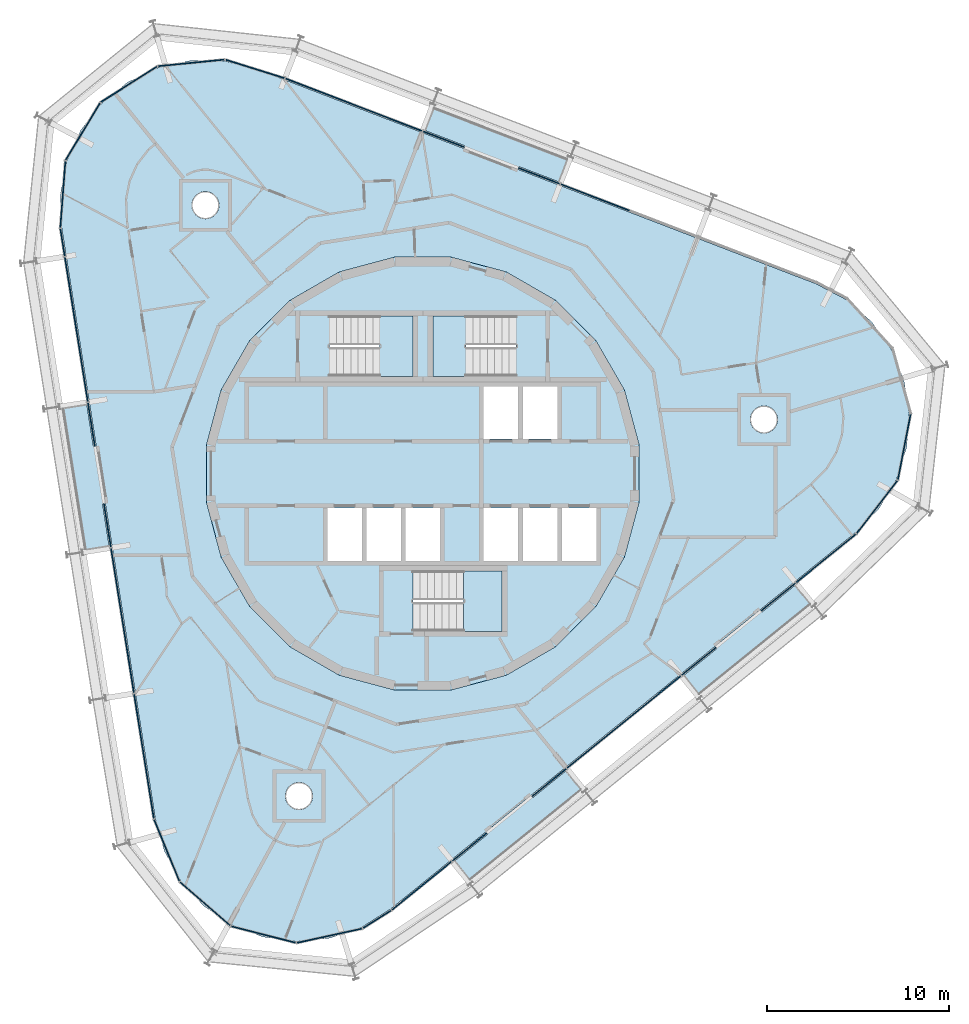
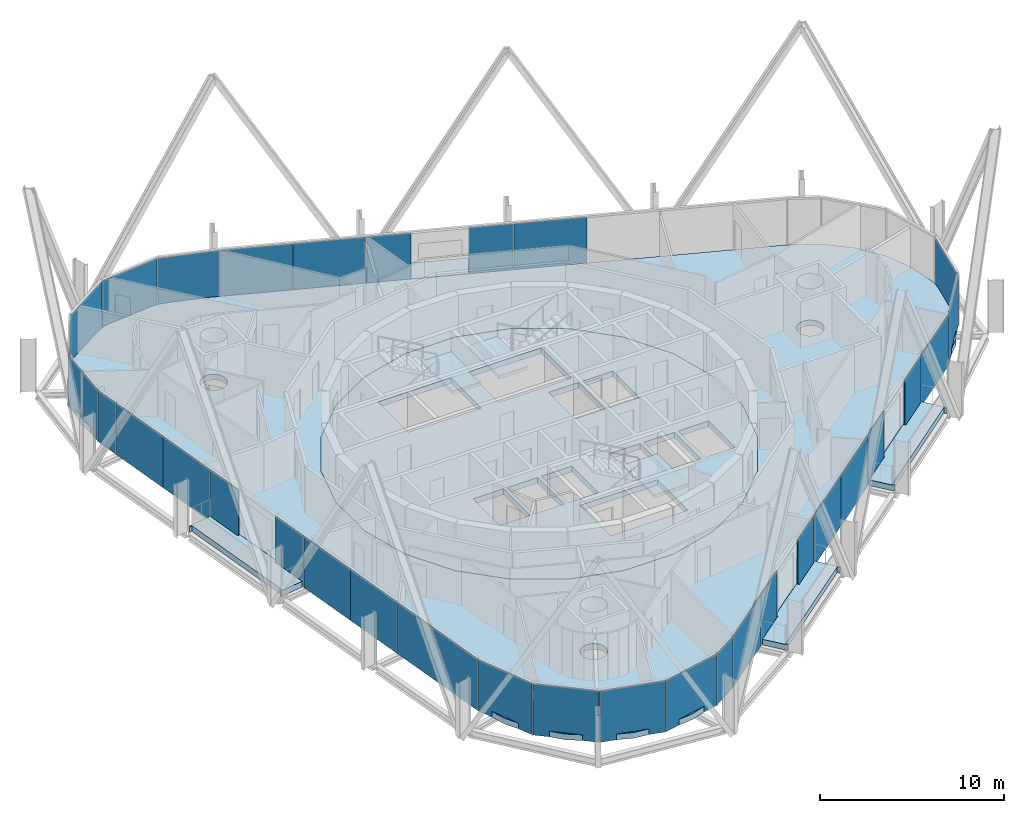
# One storey, part 10 of 18: 33 plates, 9 slabs, 9 elements without a shape of their own.
"""IFC4 building model written with IfcOpenShell, lengths in metres."""

from ifc_helpers import new_model, si_unit, direction, frame, origin, origin_2d, place, context, subcontext, project, spatial, polyline, rectangle, outline, extrude, material, layer, layer_set, type_object, element, aggregate, save


model = new_model("IFC4")

# Units and contexts
model_context = context("Model", 3, precision=1e-05, world=origin(), true_north=direction((0.0, 1.0)))
body_context = subcontext(model_context, "Body", "Model", "MODEL_VIEW")
ifc_project = project(units=[si_unit("LENGTHUNIT", "METRE"), si_unit("AREAUNIT", "SQUARE_METRE"), si_unit("VOLUMEUNIT", "CUBIC_METRE"), si_unit("PLANEANGLEUNIT", "RADIAN"), si_unit("MASSUNIT", "GRAM", prefix="KILO")], contexts=[model_context])

# Site, building, storey
site_placement = place(None, origin())
site = spatial("IfcSite", under=ifc_project, at=site_placement, CompositionType="ELEMENT")
building_placement = place(site_placement, origin())
building = spatial("IfcBuilding", under=site, at=building_placement, Name="Spindle Arch Residences", CompositionType="ELEMENT")
storey_placement = place(building_placement, frame((0.0, 0.0, 277.39990234375)))
storey = spatial("IfcBuildingStorey", under=building, at=storey_placement, Name="L71", CompositionType="ELEMENT", Elevation=277.39990234375)

# Slabs
ifc_material_1 = material(Name="Concrete C40/50", Category="concrete")
ifc_layer_1 = layer(ifc_material_1, 0.3798828125)
ifc_layer_set_1 = layer_set([ifc_layer_1], Name="Balcony slab 380")
slab_type_1 = type_object("IfcSlabType", Name="Balcony slab 380", PredefinedType="FLOOR", material=ifc_layer_set_1)
slab_1_placement = place(storey_placement, frame((0.0, 0.0, -0.3798828125)))
element("IfcSlab", 1, at=slab_1_placement, inside=storey, type_object=slab_type_1, Name="Balcony L71 bay 1", PredefinedType="FLOOR", context=body_context, shape_type="SweptSolid", body=[
    extrude(outline(polyline([(15.258056640625, -12.28125), (15.31640625, -12.234130859375), (15.221923828125, -12.11767578125), (21.28955078125, -7.2041015625), (21.384033203125, -7.32080078125), (21.442138671875, -7.2734375), (20.504638671875, -6.115478515625), (18.65576171875, -7.612548828125), (18.55517578125, -7.48828125), (16.068359375, -9.501953125), (16.1689453125, -9.62646484375), (14.3203125, -11.12353515625), (15.258056640625, -12.28125)])), origin(), (0.0, 0.0, 1.0), 0.3798828125),
])
slab_2_placement = place(storey_placement, frame((0.0, 0.0, -0.3798828125)))
element("IfcSlab", 2, at=slab_2_placement, inside=storey, type_object=slab_type_1, Name="Balcony L71 bay 7", PredefinedType="FLOOR", context=body_context, shape_type="SweptSolid", body=[
    extrude(outline(polyline([(8.052978515625, 17.41748046875), (7.98291015625, 17.4443359375), (7.92919921875, 17.304443359375), (0.64013671875, 20.102294921875), (0.694091796875, 20.242431640625), (0.6240234375, 20.269287109375), (0.090087890625, 18.878173828125), (2.310791015625, 18.025634765625), (2.25341796875, 17.87646484375), (5.240966796875, 16.7294921875), (5.29833984375, 16.87890625), (7.51904296875, 16.0263671875), (8.052978515625, 17.41748046875)])), origin(), (0.0, 0.0, 1.0), 0.3798828125),
])
slab_3_placement = place(storey_placement, frame((0.0, 0.0, -0.3798828125)))
element("IfcSlab", 3, at=slab_3_placement, inside=storey, type_object=slab_type_1, Name="Balcony L71 bay 13", PredefinedType="FLOOR", context=body_context, shape_type="SweptSolid", body=[
    extrude(outline(polyline([(-19.9560546875, 3.603759765625), (-19.9443359375, 3.52978515625), (-19.796142578125, 3.55322265625), (-18.57470703125, -4.158203125), (-18.722900390625, -4.181640625), (-18.711181640625, -4.255859375), (-17.239501953125, -4.022705078125), (-17.611572265625, -1.673095703125), (-17.45361328125, -1.648193359375), (-17.954345703125, 1.512451171875), (-18.1123046875, 1.487548828125), (-18.484375, 3.8369140625), (-19.9560546875, 3.603759765625)])), origin(), (0.0, 0.0, 1.0), 0.3798828125),
])
slab_4_placement = place(storey_placement, frame((0.0, 0.0, -0.3798828125)))
element("IfcSlab", 4, at=slab_4_placement, inside=storey, type_object=slab_type_1, Name="Balcony L71 bay 19", PredefinedType="FLOOR", context=body_context, shape_type="SweptSolid", body=[
    extrude(outline(polyline([(2.656494140625, -22.48583984375), (2.71484375, -22.438720703125), (2.620361328125, -22.322021484375), (8.68798828125, -17.40869140625), (8.782470703125, -17.525146484375), (8.840576171875, -17.47802734375), (7.903076171875, -16.320068359375), (6.05419921875, -17.817138671875), (5.95361328125, -17.69287109375), (3.466796875, -19.70654296875), (3.5673828125, -19.8310546875), (1.71875, -21.327880859375), (2.656494140625, -22.48583984375)])), origin(), (0.0, 0.0, 1.0), 0.3798828125),
])
ifc_material_2 = material(Name="Concrete C50/60", Category="concrete")
ifc_layer_2 = layer(ifc_material_2, 0.3798828125)
ifc_layer_set_2 = layer_set([ifc_layer_2], Name="Core floor slab 380")
slab_type_2 = type_object("IfcSlabType", Name="Core floor slab 380", PredefinedType="FLOOR", material=ifc_layer_set_2)
slab_5_placement = place(storey_placement, frame((0.0, 0.0, -0.3798828125)))
element("IfcSlab", 5, at=slab_5_placement, inside=storey, type_object=slab_type_2, Name="Core floor L71", PredefinedType="FLOOR", context=body_context, shape_type="SweptSolid", body=[
    extrude(outline(polyline([(1.56640625, -11.897216796875), (4.59228515625, -11.086669921875), (7.30517578125, -9.520263671875), (9.520263671875, -7.30517578125), (11.086669921875, -4.59228515625), (11.897216796875, -1.56640625), (11.897216796875, 1.56640625), (11.086669921875, 4.59228515625), (9.520263671875, 7.30517578125), (7.30517578125, 9.520263671875), (4.59228515625, 11.086669921875), (1.56640625, 11.897216796875), (-1.56640625, 11.897216796875), (-4.59228515625, 11.086669921875), (-7.30517578125, 9.520263671875), (-9.520263671875, 7.30517578125), (-11.086669921875, 4.59228515625), (-11.897216796875, 1.56640625), (-11.897216796875, -1.56640625), (-11.086669921875, -4.59228515625), (-9.520263671875, -7.30517578125), (-7.30517578125, -9.520263671875), (-4.59228515625, -11.086669921875), (-1.56640625, -11.897216796875), (1.56640625, -11.897216796875)]), holes=[polyline([(3.35009765625, 1.89990234375), (5.25, 1.89990234375), (5.25, 4.800048828125), (3.35009765625, 4.800048828125), (3.35009765625, 1.89990234375)]), polyline([(5.5, 1.89990234375), (7.39990234375, 1.89990234375), (7.39990234375, 4.800048828125), (5.5, 4.800048828125), (5.5, 1.89990234375)]), polyline([(-5.25, -4.800048828125), (-3.35009765625, -4.800048828125), (-3.35009765625, -1.89990234375), (-5.25, -1.89990234375), (-5.25, -4.800048828125)]), polyline([(-3.10009765625, -4.800048828125), (-1.199951171875, -4.800048828125), (-1.199951171875, -1.89990234375), (-3.10009765625, -1.89990234375), (-3.10009765625, -4.800048828125)]), polyline([(-0.949951171875, -4.800048828125), (0.949951171875, -4.800048828125), (0.949951171875, -1.89990234375), (-0.949951171875, -1.89990234375), (-0.949951171875, -4.800048828125)]), polyline([(3.35009765625, -4.800048828125), (5.25, -4.800048828125), (5.25, -1.89990234375), (3.35009765625, -1.89990234375), (3.35009765625, -4.800048828125)]), polyline([(5.5, -4.800048828125), (7.39990234375, -4.800048828125), (7.39990234375, -1.89990234375), (5.5, -1.89990234375), (5.5, -4.800048828125)]), polyline([(7.64990234375, -4.800048828125), (9.550048828125, -4.800048828125), (9.550048828125, -1.89990234375), (7.64990234375, -1.89990234375), (7.64990234375, -4.800048828125)]), polyline([(5.1298828125, 8.669921875), (0.550048828125, 8.669921875), (0.550048828125, 5.35009765625), (5.1298828125, 5.35009765625), (5.1298828125, 8.669921875)]), polyline([(-5.1298828125, 5.35009765625), (-0.550048828125, 5.35009765625), (-0.550048828125, 8.669921875), (-5.1298828125, 8.669921875), (-5.1298828125, 5.35009765625)]), polyline([(-0.530029296875, -8.669921875), (4.35009765625, -8.669921875), (4.35009765625, -5.35009765625), (-0.530029296875, -5.35009765625), (-0.530029296875, -8.669921875)])]), origin(), (0.0, 0.0, 1.0), 0.3798828125),
])

# Stair, slab
ifc_material_3 = material(Name="Concrete C50/60", Category="concrete")
stair_type = type_object("IfcStairType", Name="Exit stair 16 risers", PredefinedType="HALF_TURN_STAIR", material=ifc_material_3)
stair_1_placement = place(storey_placement, origin())
stair_1 = element("IfcStair", 6, at=stair_1_placement, inside=storey, type_object=stair_type, Name="L71 Exit stair ST1", PredefinedType="HALF_TURN_STAIR")
ifc_material_4 = material(Name="Concrete C50/60", Category="concrete")
ifc_layer_3 = layer(ifc_material_4, 0.219970703125)
ifc_layer_set_3 = layer_set([ifc_layer_3], Name="Exit stair landing 220")
slab_type_3 = type_object("IfcSlabType", Name="Exit stair landing 220", PredefinedType="LANDING", material=ifc_layer_set_3)
slab_6_placement = place(storey_placement, frame((0.0, 0.0, 1.530029296875)))
slab_6 = element("IfcSlab", 7, at=slab_6_placement, type_object=slab_type_3, Name="ST1 landing 1", PredefinedType="LANDING", context=body_context, shape_type="SweptSolid", body=[
    extrude(outline(polyline([(2.3701171875, 8.669921875), (0.550048828125, 8.669921875), (0.550048828125, 5.35009765625), (2.3701171875, 5.35009765625), (2.3701171875, 8.669921875)])), origin(), (0.0, 0.0, 1.0), 0.219970703125),
])
aggregate(stair_1, [slab_6])

stair_2_placement = place(storey_placement, origin())
stair_2 = element("IfcStair", 8, at=stair_2_placement, inside=storey, type_object=stair_type, Name="L71 Exit stair ST2", PredefinedType="HALF_TURN_STAIR")
slab_7_placement = place(storey_placement, frame((0.0, 0.0, 1.530029296875)))
slab_7 = element("IfcSlab", 9, at=slab_7_placement, type_object=slab_type_3, Name="ST2 landing 1", PredefinedType="LANDING", context=body_context, shape_type="SweptSolid", body=[
    extrude(outline(polyline([(-2.3701171875, 5.35009765625), (-0.550048828125, 5.35009765625), (-0.550048828125, 8.669921875), (-2.3701171875, 8.669921875), (-2.3701171875, 5.35009765625)])), origin(), (0.0, 0.0, 1.0), 0.219970703125),
])
aggregate(stair_2, [slab_7])

stair_3_placement = place(storey_placement, origin())
stair_3 = element("IfcStair", 10, at=stair_3_placement, inside=storey, type_object=stair_type, Name="L71 Exit stair ST3", PredefinedType="HALF_TURN_STAIR")
slab_8_placement = place(storey_placement, frame((0.0, 0.0, 1.530029296875)))
slab_8 = element("IfcSlab", 11, at=slab_8_placement, type_object=slab_type_3, Name="ST3 landing 1", PredefinedType="LANDING", context=body_context, shape_type="SweptSolid", body=[
    extrude(outline(polyline([(2.22998046875, -8.669921875), (4.35009765625, -8.669921875), (4.35009765625, -5.35009765625), (2.22998046875, -5.35009765625), (2.22998046875, -8.669921875)])), origin(), (0.0, 0.0, 1.0), 0.219970703125),
])
aggregate(stair_3, [slab_8])

# Slab
ifc_material_5 = material(Name="Concrete C40/50", Category="concrete")
ifc_layer_4 = layer(ifc_material_5, 0.3798828125)
ifc_layer_set_4 = layer_set([ifc_layer_4], Name="Floor slab 380")
slab_type_4 = type_object("IfcSlabType", Name="Floor slab 380", PredefinedType="FLOOR", material=ifc_layer_set_4)
slab_9_placement = place(storey_placement, frame((0.0, 0.0, -0.3798828125)))
element("IfcSlab", 12, at=slab_9_placement, inside=storey, type_object=slab_type_4, Name="Floor slab L71", PredefinedType="FLOOR", context=body_context, shape_type="SweptSolid", body=[
    extrude(outline(polyline([(-3.341552734375, -24.9423828125), (-5.097900390625, -25.547119140625), (-6.9462890625, -25.73046875), (-8.787109375, -25.482666015625), (-10.521240234375, -24.81689453125), (-12.054931640625, -23.769287109375), (-13.305908203125, -22.396240234375), (-14.20654296875, -20.771484375), (-14.7080078125, -18.983154296875), (-19.854248046875, 13.509033203125), (-19.929931640625, 15.364990234375), (-19.575439453125, 17.188232421875), (-18.81005859375, 18.880859375), (-17.675048828125, 20.35107421875), (-16.231689453125, 21.52001953125), (-14.557373046875, 22.32470703125), (-12.74267578125, 22.721435546875), (-10.885498046875, 22.68896484375), (-9.0859375, 22.22900390625), (21.626220703125, 10.439697265625), (23.271484375, 9.577392578125), (24.67333984375, 8.358642578125), (25.75634765625, 6.849609375), (26.462158203125, 5.131591796875), (26.752685546875, 3.296875), (26.6123046875, 1.444580078125), (26.048583984375, -0.3251953125), (25.092041015625, -1.917236328125), (23.7939453125, -3.24609375), (11.010986328125, -13.597412109375), (-1.77197265625, -23.94873046875), (-3.341552734375, -24.9423828125)]), holes=[polyline([(7.30517578125, -9.520263671875), (9.520263671875, -7.30517578125), (11.086669921875, -4.59228515625), (11.897216796875, -1.56640625), (11.897216796875, 1.56640625), (11.086669921875, 4.59228515625), (9.520263671875, 7.30517578125), (7.30517578125, 9.520263671875), (4.59228515625, 11.086669921875), (1.56640625, 11.897216796875), (-1.56640625, 11.897216796875), (-4.59228515625, 11.086669921875), (-7.30517578125, 9.520263671875), (-9.520263671875, 7.30517578125), (-11.086669921875, 4.59228515625), (-11.897216796875, 1.56640625), (-11.897216796875, -1.56640625), (-11.086669921875, -4.59228515625), (-9.520263671875, -7.30517578125), (-7.30517578125, -9.520263671875), (-4.59228515625, -11.086669921875), (-1.56640625, -11.897216796875), (1.56640625, -11.897216796875), (4.59228515625, -11.086669921875), (7.30517578125, -9.520263671875)]), polyline([(-6.2763671875, -18.261962890625), (-6.18310546875, -18.1484375), (-6.11376953125, -18.018798828125), (-6.071044921875, -17.8779296875), (-6.056640625, -17.731689453125), (-6.071044921875, -17.58544921875), (-6.11376953125, -17.444580078125), (-6.18310546875, -17.31494140625), (-6.2763671875, -17.201416015625), (-6.389892578125, -17.108154296875), (-6.51953125, -17.038818359375), (-6.660400390625, -16.99609375), (-6.806640625, -16.981689453125), (-6.952880859375, -16.99609375), (-7.093505859375, -17.038818359375), (-7.223388671875, -17.108154296875), (-7.3369140625, -17.201416015625), (-7.43017578125, -17.31494140625), (-7.49951171875, -17.444580078125), (-7.542236328125, -17.58544921875), (-7.556640625, -17.731689453125), (-7.542236328125, -17.8779296875), (-7.49951171875, -18.018798828125), (-7.43017578125, -18.1484375), (-7.3369140625, -18.261962890625), (-7.223388671875, -18.355224609375), (-7.093505859375, -18.424560546875), (-6.952880859375, -18.46728515625), (-6.806640625, -18.481689453125), (-6.660400390625, -18.46728515625), (-6.51953125, -18.424560546875), (-6.389892578125, -18.355224609375), (-6.2763671875, -18.261962890625)]), polyline([(-11.3291015625, 14.34375), (-11.260009765625, 14.473388671875), (-11.21728515625, 14.6142578125), (-11.202880859375, 14.760498046875), (-11.21728515625, 14.90673828125), (-11.260009765625, 15.047607421875), (-11.3291015625, 15.17724609375), (-11.422607421875, 15.290771484375), (-11.5361328125, 15.384033203125), (-11.665771484375, 15.453369140625), (-11.806396484375, 15.49609375), (-11.952880859375, 15.510498046875), (-12.09912109375, 15.49609375), (-12.23974609375, 15.453369140625), (-12.369384765625, 15.384033203125), (-12.483154296875, 15.290771484375), (-12.576416015625, 15.17724609375), (-12.645751953125, 15.047607421875), (-12.6884765625, 14.90673828125), (-12.702880859375, 14.760498046875), (-12.6884765625, 14.6142578125), (-12.645751953125, 14.473388671875), (-12.576416015625, 14.34375), (-12.483154296875, 14.230224609375), (-12.369384765625, 14.136962890625), (-12.23974609375, 14.067626953125), (-12.09912109375, 14.02490234375), (-11.952880859375, 14.010498046875), (-11.806396484375, 14.02490234375), (-11.665771484375, 14.067626953125), (-11.5361328125, 14.136962890625), (-11.422607421875, 14.230224609375), (-11.3291015625, 14.34375)]), polyline([(19.383056640625, 2.554443359375), (19.452392578125, 2.68408203125), (19.4951171875, 2.824951171875), (19.509521484375, 2.97119140625), (19.4951171875, 3.117431640625), (19.452392578125, 3.25830078125), (19.383056640625, 3.387939453125), (19.289794921875, 3.50146484375), (19.176025390625, 3.5947265625), (19.04638671875, 3.6640625), (18.90576171875, 3.706787109375), (18.759521484375, 3.72119140625), (18.613037109375, 3.706787109375), (18.472412109375, 3.6640625), (18.3427734375, 3.5947265625), (18.22900390625, 3.50146484375), (18.1357421875, 3.387939453125), (18.06640625, 3.25830078125), (18.023681640625, 3.117431640625), (18.009521484375, 2.97119140625), (18.023681640625, 2.824951171875), (18.06640625, 2.68408203125), (18.1357421875, 2.554443359375), (18.22900390625, 2.44091796875), (18.3427734375, 2.34765625), (18.472412109375, 2.2783203125), (18.613037109375, 2.235595703125), (18.759521484375, 2.22119140625), (18.90576171875, 2.235595703125), (19.04638671875, 2.2783203125), (19.176025390625, 2.34765625), (19.289794921875, 2.44091796875), (19.383056640625, 2.554443359375)])]), origin(), (0.0, 0.0, 1.0), 0.3798828125),
])

# Curtain wall, plates
ifc_material_6 = material(Name="Aluminium bronze unitised frame with tinted glass", Category="aluminium")
ifc_layer_5 = layer(ifc_material_6, 0.159912109375)
ifc_layer_set_5 = layer_set([ifc_layer_5], Name="CW-D corner wall on the fillet arcs")
curtain_wall_type_1 = type_object("IfcCurtainWallType", Name="CW-D corner wall on the fillet arcs", PredefinedType="NOTDEFINED", material=ifc_layer_set_5)
curtain_wall_1_placement = place(storey_placement, origin())
curtain_wall_1 = element("IfcCurtainWall", 13, at=curtain_wall_1_placement, inside=storey, type_object=curtain_wall_type_1, Name="CW-D L71 run 1", PredefinedType="NOTDEFINED")
ifc_material_7 = material(Name="Tinted double glazing over aluminium faced non-combustible spandrel zone (K0)", Category="aluminium")
ifc_layer_6 = layer(ifc_material_7, 0.06005859375)
ifc_layer_set_6 = layer_set([ifc_layer_6], Name="Unitised glass panel with E 60 spandrel zone")
plate_type = type_object("IfcPlateType", Name="Unitised glass panel with E 60 spandrel zone", PredefinedType="CURTAIN_PANEL", material=ifc_layer_set_6)
plate_1_placement = place(storey_placement, frame((22.178466796875, -4.6572265625, -0.3798828125), z_axis=(0.0, 0.0, 1.0), x_axis=(0.777145961457, 0.62932039105, 0.0)))
plate_1 = element("IfcPlate", 14, at=plate_1_placement, type_object=plate_type, Name="CW-D unit 00", PredefinedType="CURTAIN_PANEL", context=body_context, shape_type="SweptSolid", body=[
    extrude(rectangle(XDim=4.227294921875, YDim=0.06005859375, at=origin_2d()), origin(), (0.0, 0.0, 1.0), 3.3798828125),
])
plate_2_placement = place(storey_placement, frame((24.98291015625, -1.833251953125, -0.3798828125), z_axis=(0.0, 0.0, 1.0), x_axis=(0.611066622764, 0.791579170105, 0.0)))
plate_2 = element("IfcPlate", 15, at=plate_2_placement, type_object=plate_type, Name="CW-D unit 01", PredefinedType="CURTAIN_PANEL", context=body_context, shape_type="SweptSolid", body=[
    extrude(rectangle(XDim=3.666748046875, YDim=0.06005859375, at=origin_2d()), origin(), (0.0, 0.0, 1.0), 3.3798828125),
])
plate_3_placement = place(storey_placement, frame((26.47705078125, 1.470947265625, -0.3798828125), z_axis=(0.0, 0.0, 1.0), x_axis=(0.190808994811, 0.981627183558, 0.0)))
plate_3 = element("IfcPlate", 16, at=plate_3_placement, type_object=plate_type, Name="CW-D unit 02", PredefinedType="CURTAIN_PANEL", context=body_context, shape_type="SweptSolid", body=[
    extrude(rectangle(XDim=3.666748046875, YDim=0.06005859375, at=origin_2d()), origin(), (0.0, 0.0, 1.0), 3.3798828125),
])
aggregate(curtain_wall_1, [plate_1, plate_2, plate_3])

ifc_material_8 = material(Name="Aluminium bronze unitised frame with tinted glass", Category="aluminium")
ifc_layer_7 = layer(ifc_material_8, 0.159912109375)
ifc_layer_set_7 = layer_set([ifc_layer_7], Name="CW-C typical residential unitised wall")
curtain_wall_type_2 = type_object("IfcCurtainWallType", Name="CW-C typical residential unitised wall", PredefinedType="NOTDEFINED", material=ifc_layer_set_7)
curtain_wall_2_placement = place(storey_placement, origin())
curtain_wall_2 = element("IfcCurtainWall", 17, at=curtain_wall_2_placement, inside=storey, type_object=curtain_wall_type_2, Name="CW-C L71 run 2", PredefinedType="NOTDEFINED")
plate_4_placement = place(storey_placement, frame((9.466796875, 15.193115234375, -0.3798828125), z_axis=(0.0, 0.0, 1.0), x_axis=(-0.933580426497, 0.358367949545, 0.0)))
plate_4 = element("IfcPlate", 18, at=plate_4_placement, type_object=plate_type, Name="CW-C unit 05B", PredefinedType="CURTAIN_PANEL", context=body_context, shape_type="SweptSolid", body=[
    extrude(rectangle(XDim=4.023681640625, YDim=0.06005859375, at=origin_2d()), origin(), (0.0, 0.0, 1.0), 3.3798828125),
])
plate_5_placement = place(storey_placement, frame((6.40087890625, 16.369873046875, -0.3798828125), z_axis=(0.0, 0.0, 1.0), x_axis=(-0.933580426497, 0.358367949545, 0.0)))
plate_5 = element("IfcPlate", 19, at=plate_5_placement, type_object=plate_type, Name="CW-C unit 06L", PredefinedType="CURTAIN_PANEL", context=body_context, shape_type="SweptSolid", body=[
    extrude(rectangle(XDim=2.423828125, YDim=0.06005859375, at=origin_2d()), origin(), (0.0, 0.0, 1.0), 3.3798828125),
])
plate_6_placement = place(storey_placement, frame((1.150634765625, 18.38525390625, -0.3798828125), z_axis=(0.0, 0.0, 1.0), x_axis=(-0.933580426497, 0.358367949545, 0.0)))
plate_6 = element("IfcPlate", 20, at=plate_6_placement, type_object=plate_type, Name="CW-C unit 06R", PredefinedType="CURTAIN_PANEL", context=body_context, shape_type="SweptSolid", body=[
    extrude(rectangle(XDim=2.423828125, YDim=0.06005859375, at=origin_2d()), origin(), (0.0, 0.0, 1.0), 3.3798828125),
])
plate_7_placement = place(storey_placement, frame((-1.9150390625, 19.562255859375, -0.3798828125), z_axis=(0.0, 0.0, 1.0), x_axis=(-0.933580426497, 0.358367949545, 0.0)))
plate_7 = element("IfcPlate", 21, at=plate_7_placement, type_object=plate_type, Name="CW-C unit 07A", PredefinedType="CURTAIN_PANEL", context=body_context, shape_type="SweptSolid", body=[
    extrude(rectangle(XDim=4.023681640625, YDim=0.06005859375, at=origin_2d()), origin(), (0.0, 0.0, 1.0), 3.3798828125),
])
plate_8_placement = place(storey_placement, frame((-5.67138671875, 21.004150390625, -0.3798828125), z_axis=(0.0, 0.0, 1.0), x_axis=(-0.933580426497, 0.358367949545, 0.0)))
plate_8 = element("IfcPlate", 22, at=plate_8_placement, type_object=plate_type, Name="CW-C unit 07B", PredefinedType="CURTAIN_PANEL", context=body_context, shape_type="SweptSolid", body=[
    extrude(rectangle(XDim=4.023681640625, YDim=0.06005859375, at=origin_2d()), origin(), (0.0, 0.0, 1.0), 3.3798828125),
])
aggregate(curtain_wall_2, [plate_4, plate_5, plate_6, plate_7, plate_8])

curtain_wall_3_placement = place(storey_placement, origin())
curtain_wall_3 = element("IfcCurtainWall", 23, at=curtain_wall_3_placement, inside=storey, type_object=curtain_wall_type_1, Name="CW-D L71 run 3", PredefinedType="NOTDEFINED")
plate_9_placement = place(storey_placement, frame((-9.226318359375, 22.252197265625, -0.3798828125), z_axis=(0.0, 0.0, 1.0), x_axis=(-0.954314920262, 0.298802665594, 0.0)))
plate_9 = element("IfcPlate", 24, at=plate_9_placement, type_object=plate_type, Name="CW-D unit 00", PredefinedType="CURTAIN_PANEL", context=body_context, shape_type="SweptSolid", body=[
    extrude(rectangle(XDim=3.39501953125, YDim=0.06005859375, at=origin_2d()), origin(), (0.0, 0.0, 1.0), 3.3798828125),
])
plate_10_placement = place(storey_placement, frame((-12.729248046875, 22.584228515625, -0.3798828125), z_axis=(0.0, 0.0, 1.0), x_axis=(-0.995113183485, -0.098740832762, 0.0)))
plate_10 = element("IfcPlate", 25, at=plate_10_placement, type_object=plate_type, Name="CW-D unit 01", PredefinedType="CURTAIN_PANEL", context=body_context, shape_type="SweptSolid", body=[
    extrude(rectangle(XDim=3.666748046875, YDim=0.06005859375, at=origin_2d()), origin(), (0.0, 0.0, 1.0), 3.3798828125),
])
plate_11_placement = place(storey_placement, frame((-16.157958984375, 21.403564453125, -0.3798828125), z_axis=(0.0, 0.0, 1.0), x_axis=(-0.844950814707, -0.534844015322, 0.0)))
plate_11 = element("IfcPlate", 26, at=plate_11_placement, type_object=plate_type, Name="CW-D unit 02", PredefinedType="CURTAIN_PANEL", context=body_context, shape_type="SweptSolid", body=[
    extrude(rectangle(XDim=3.666748046875, YDim=0.06005859375, at=origin_2d()), origin(), (0.0, 0.0, 1.0), 3.3798828125),
])
plate_12_placement = place(storey_placement, frame((-18.692138671875, 18.809814453125, -0.3798828125), z_axis=(0.0, 0.0, 1.0), x_axis=(-0.515038072875, -0.857167301925, 0.0)))
plate_12 = element("IfcPlate", 27, at=plate_12_placement, type_object=plate_type, Name="CW-D unit 03", PredefinedType="CURTAIN_PANEL", context=body_context, shape_type="SweptSolid", body=[
    extrude(rectangle(XDim=3.666748046875, YDim=0.06005859375, at=origin_2d()), origin(), (0.0, 0.0, 1.0), 3.3798828125),
])
plate_13_placement = place(storey_placement, frame((-19.79248046875, 15.3544921875, -0.3798828125), z_axis=(0.0, 0.0, 1.0), x_axis=(-0.07555884997, -0.997141344139, 0.0)))
plate_13 = element("IfcPlate", 28, at=plate_13_placement, type_object=plate_type, Name="CW-D unit 04", PredefinedType="CURTAIN_PANEL", context=body_context, shape_type="SweptSolid", body=[
    extrude(rectangle(XDim=3.666748046875, YDim=0.06005859375, at=origin_2d()), origin(), (0.0, 0.0, 1.0), 3.3798828125),
])
plate_14_placement = place(storey_placement, frame((-19.809326171875, 12.7138671875, -0.3798828125), z_axis=(0.0, 0.0, 1.0), x_axis=(0.15643446504, -0.987688340595, 0.0)))
plate_14 = element("IfcPlate", 29, at=plate_14_placement, type_object=plate_type, Name="CW-D unit 05", PredefinedType="CURTAIN_PANEL", context=body_context, shape_type="SweptSolid", body=[
    extrude(rectangle(XDim=1.524658203125, YDim=0.06005859375, at=origin_2d()), origin(), (0.0, 0.0, 1.0), 3.3798828125),
])
aggregate(curtain_wall_3, [plate_9, plate_10, plate_11, plate_12, plate_13, plate_14])

curtain_wall_4_placement = place(storey_placement, origin())
curtain_wall_4 = element("IfcCurtainWall", 30, at=curtain_wall_4_placement, inside=storey, type_object=curtain_wall_type_2, Name="CW-C L71 run 4", PredefinedType="NOTDEFINED")
plate_15_placement = place(storey_placement, frame((-19.365966796875, 9.91455078125, -0.3798828125), z_axis=(0.0, 0.0, 1.0), x_axis=(0.15643446504, -0.987688340595, 0.0)))
plate_15 = element("IfcPlate", 31, at=plate_15_placement, type_object=plate_type, Name="CW-C unit 11A", PredefinedType="CURTAIN_PANEL", context=body_context, shape_type="SweptSolid", body=[
    extrude(rectangle(XDim=4.023681640625, YDim=0.06005859375, at=origin_2d()), origin(), (0.0, 0.0, 1.0), 3.3798828125),
])
plate_16_placement = place(storey_placement, frame((-18.736572265625, 5.9404296875, -0.3798828125), z_axis=(0.0, 0.0, 1.0), x_axis=(0.15643446504, -0.987688340595, 0.0)))
plate_16 = element("IfcPlate", 32, at=plate_16_placement, type_object=plate_type, Name="CW-C unit 11B", PredefinedType="CURTAIN_PANEL", context=body_context, shape_type="SweptSolid", body=[
    extrude(rectangle(XDim=4.023681640625, YDim=0.06005859375, at=origin_2d()), origin(), (0.0, 0.0, 1.0), 3.3798828125),
])
plate_17_placement = place(storey_placement, frame((-18.222900390625, 2.697021484375, -0.3798828125), z_axis=(0.0, 0.0, 1.0), x_axis=(0.15643446504, -0.987688340595, 0.0)))
plate_17 = element("IfcPlate", 33, at=plate_17_placement, type_object=plate_type, Name="CW-C unit 12L", PredefinedType="CURTAIN_PANEL", context=body_context, shape_type="SweptSolid", body=[
    extrude(rectangle(XDim=2.423828125, YDim=0.06005859375, at=origin_2d()), origin(), (0.0, 0.0, 1.0), 3.3798828125),
])
plate_18_placement = place(storey_placement, frame((-17.343017578125, -2.857666015625, -0.3798828125), z_axis=(0.0, 0.0, 1.0), x_axis=(0.15643446504, -0.987688340595, 0.0)))
plate_18 = element("IfcPlate", 34, at=plate_18_placement, type_object=plate_type, Name="CW-C unit 12R", PredefinedType="CURTAIN_PANEL", context=body_context, shape_type="SweptSolid", body=[
    extrude(rectangle(XDim=2.423828125, YDim=0.06005859375, at=origin_2d()), origin(), (0.0, 0.0, 1.0), 3.3798828125),
])
plate_19_placement = place(storey_placement, frame((-16.829345703125, -6.10107421875, -0.3798828125), z_axis=(0.0, 0.0, 1.0), x_axis=(0.15643446504, -0.987688340595, 0.0)))
plate_19 = element("IfcPlate", 35, at=plate_19_placement, type_object=plate_type, Name="CW-C unit 13A", PredefinedType="CURTAIN_PANEL", context=body_context, shape_type="SweptSolid", body=[
    extrude(rectangle(XDim=4.023681640625, YDim=0.06005859375, at=origin_2d()), origin(), (0.0, 0.0, 1.0), 3.3798828125),
])
plate_20_placement = place(storey_placement, frame((-16.199951171875, -10.0751953125, -0.3798828125), z_axis=(0.0, 0.0, 1.0), x_axis=(0.15643446504, -0.987688340595, 0.0)))
plate_20 = element("IfcPlate", 36, at=plate_20_placement, type_object=plate_type, Name="CW-C unit 13B", PredefinedType="CURTAIN_PANEL", context=body_context, shape_type="SweptSolid", body=[
    extrude(rectangle(XDim=4.023681640625, YDim=0.06005859375, at=origin_2d()), origin(), (0.0, 0.0, 1.0), 3.3798828125),
])
aggregate(curtain_wall_4, [plate_15, plate_16, plate_17, plate_18, plate_19, plate_20])

curtain_wall_5_placement = place(storey_placement, origin())
curtain_wall_5 = element("IfcCurtainWall", 37, at=curtain_wall_5_placement, inside=storey, type_object=curtain_wall_type_1, Name="CW-D L71 run 5", PredefinedType="NOTDEFINED")
plate_21_placement = place(storey_placement, frame((-15.333740234375, -15.5439453125, -0.3798828125), z_axis=(0.0, 0.0, 1.0), x_axis=(0.15643446504, -0.987688340595, 0.0)))
plate_21 = element("IfcPlate", 38, at=plate_21_placement, type_object=plate_type, Name="CW-D unit 00", PredefinedType="CURTAIN_PANEL", context=body_context, shape_type="SweptSolid", body=[
    extrude(rectangle(XDim=6.9296875, YDim=0.06005859375, at=origin_2d()), origin(), (0.0, 0.0, 1.0), 3.3798828125),
])
plate_22_placement = place(storey_placement, frame((-14.0791015625, -20.71923828125, -0.3798828125), z_axis=(0.0, 0.0, 1.0), x_axis=(0.379994360085, -0.92498880334, 0.0)))
plate_22 = element("IfcPlate", 39, at=plate_22_placement, type_object=plate_type, Name="CW-D unit 01", PredefinedType="CURTAIN_PANEL", context=body_context, shape_type="SweptSolid", body=[
    extrude(rectangle(XDim=3.666748046875, YDim=0.06005859375, at=origin_2d()), origin(), (0.0, 0.0, 1.0), 3.3798828125),
])
plate_23_placement = place(storey_placement, frame((-11.964599609375, -23.665283203125, -0.3798828125), z_axis=(0.0, 0.0, 1.0), x_axis=(0.754709583074, -0.656059025711, 0.0)))
plate_23 = element("IfcPlate", 40, at=plate_23_placement, type_object=plate_type, Name="CW-D unit 02", PredefinedType="CURTAIN_PANEL", context=body_context, shape_type="SweptSolid", body=[
    extrude(rectangle(XDim=3.666748046875, YDim=0.06005859375, at=origin_2d()), origin(), (0.0, 0.0, 1.0), 3.3798828125),
])
plate_24_placement = place(storey_placement, frame((-8.7529296875, -25.34912109375, -0.3798828125), z_axis=(0.0, 0.0, 1.0), x_axis=(0.968871869392, -0.247562720743, 0.0)))
plate_24 = element("IfcPlate", 41, at=plate_24_placement, type_object=plate_type, Name="CW-D unit 03", PredefinedType="CURTAIN_PANEL", context=body_context, shape_type="SweptSolid", body=[
    extrude(rectangle(XDim=3.666748046875, YDim=0.06005859375, at=origin_2d()), origin(), (0.0, 0.0, 1.0), 3.3798828125),
])
plate_25_placement = place(storey_placement, frame((-5.127197265625, -25.412353515625, -0.3798828125), z_axis=(0.0, 0.0, 1.0), x_axis=(0.976921473489, 0.213598770213, 0.0)))
plate_25 = element("IfcPlate", 42, at=plate_25_placement, type_object=plate_type, Name="CW-D unit 04", PredefinedType="CURTAIN_PANEL", context=body_context, shape_type="SweptSolid", body=[
    extrude(rectangle(XDim=3.666748046875, YDim=0.06005859375, at=origin_2d()), origin(), (0.0, 0.0, 1.0), 3.3798828125),
])
plate_26_placement = place(storey_placement, frame((-2.51416015625, -24.5126953125, -0.3798828125), z_axis=(0.0, 0.0, 1.0), x_axis=(0.844950816658, 0.53484401224, 0.0)))
plate_26 = element("IfcPlate", 43, at=plate_26_placement, type_object=plate_type, Name="CW-D unit 05", PredefinedType="CURTAIN_PANEL", context=body_context, shape_type="SweptSolid", body=[
    extrude(rectangle(XDim=1.816162109375, YDim=0.06005859375, at=origin_2d()), origin(), (0.0, 0.0, 1.0), 3.3798828125),
])
plate_27_placement = place(storey_placement, frame((-0.0556640625, -22.662109375, -0.3798828125), z_axis=(0.0, 0.0, 1.0), x_axis=(0.777145961457, 0.62932039105, 0.0)))
plate_27 = element("IfcPlate", 44, at=plate_27_placement, type_object=plate_type, Name="CW-D unit 06", PredefinedType="CURTAIN_PANEL", context=body_context, shape_type="SweptSolid", body=[
    extrude(rectangle(XDim=4.227294921875, YDim=0.06005859375, at=origin_2d()), origin(), (0.0, 0.0, 1.0), 3.3798828125),
])
aggregate(curtain_wall_5, [plate_21, plate_22, plate_23, plate_24, plate_25, plate_26, plate_27])

curtain_wall_6_placement = place(storey_placement, origin())
curtain_wall_6 = element("IfcCurtainWall", 45, at=curtain_wall_6_placement, inside=storey, type_object=curtain_wall_type_2, Name="CW-C L71 run 6", PredefinedType="NOTDEFINED")
plate_28_placement = place(storey_placement, frame((2.5751953125, -20.531494140625, -0.3798828125), z_axis=(0.0, 0.0, 1.0), x_axis=(0.777145961457, 0.62932039105, 0.0)))
plate_28 = element("IfcPlate", 46, at=plate_28_placement, type_object=plate_type, Name="CW-C unit 18L", PredefinedType="CURTAIN_PANEL", context=body_context, shape_type="SweptSolid", body=[
    extrude(rectangle(XDim=2.423828125, YDim=0.06005859375, at=origin_2d()), origin(), (0.0, 0.0, 1.0), 3.3798828125),
])
plate_29_placement = place(storey_placement, frame((6.94580078125, -16.9921875, -0.3798828125), z_axis=(0.0, 0.0, 1.0), x_axis=(0.777145961457, 0.62932039105, 0.0)))
plate_29 = element("IfcPlate", 47, at=plate_29_placement, type_object=plate_type, Name="CW-C unit 18R", PredefinedType="CURTAIN_PANEL", context=body_context, shape_type="SweptSolid", body=[
    extrude(rectangle(XDim=2.423828125, YDim=0.06005859375, at=origin_2d()), origin(), (0.0, 0.0, 1.0), 3.3798828125),
])
plate_30_placement = place(storey_placement, frame((9.497802734375, -14.92578125, -0.3798828125), z_axis=(0.0, 0.0, 1.0), x_axis=(0.777145961457, 0.62932039105, 0.0)))
plate_30 = element("IfcPlate", 48, at=plate_30_placement, type_object=plate_type, Name="CW-C unit 19A", PredefinedType="CURTAIN_PANEL", context=body_context, shape_type="SweptSolid", body=[
    extrude(rectangle(XDim=4.023681640625, YDim=0.06005859375, at=origin_2d()), origin(), (0.0, 0.0, 1.0), 3.3798828125),
])
plate_31_placement = place(storey_placement, frame((12.624755859375, -12.3935546875, -0.3798828125), z_axis=(0.0, 0.0, 1.0), x_axis=(0.777145961457, 0.62932039105, 0.0)))
plate_31 = element("IfcPlate", 49, at=plate_31_placement, type_object=plate_type, Name="CW-C unit 19B", PredefinedType="CURTAIN_PANEL", context=body_context, shape_type="SweptSolid", body=[
    extrude(rectangle(XDim=4.023681640625, YDim=0.06005859375, at=origin_2d()), origin(), (0.0, 0.0, 1.0), 3.3798828125),
])
plate_32_placement = place(storey_placement, frame((15.1767578125, -10.326904296875, -0.3798828125), z_axis=(0.0, 0.0, 1.0), x_axis=(0.777145961457, 0.62932039105, 0.0)))
plate_32 = element("IfcPlate", 50, at=plate_32_placement, type_object=plate_type, Name="CW-C unit 00L", PredefinedType="CURTAIN_PANEL", context=body_context, shape_type="SweptSolid", body=[
    extrude(rectangle(XDim=2.423828125, YDim=0.06005859375, at=origin_2d()), origin(), (0.0, 0.0, 1.0), 3.3798828125),
])
plate_33_placement = place(storey_placement, frame((19.54736328125, -6.787841796875, -0.3798828125), z_axis=(0.0, 0.0, 1.0), x_axis=(0.777145961457, 0.62932039105, 0.0)))
plate_33 = element("IfcPlate", 51, at=plate_33_placement, type_object=plate_type, Name="CW-C unit 00R", PredefinedType="CURTAIN_PANEL", context=body_context, shape_type="SweptSolid", body=[
    extrude(rectangle(XDim=2.423828125, YDim=0.06005859375, at=origin_2d()), origin(), (0.0, 0.0, 1.0), 3.3798828125),
])
aggregate(curtain_wall_6, [plate_28, plate_29, plate_30, plate_31, plate_32, plate_33])

save(model, "model.ifc")
